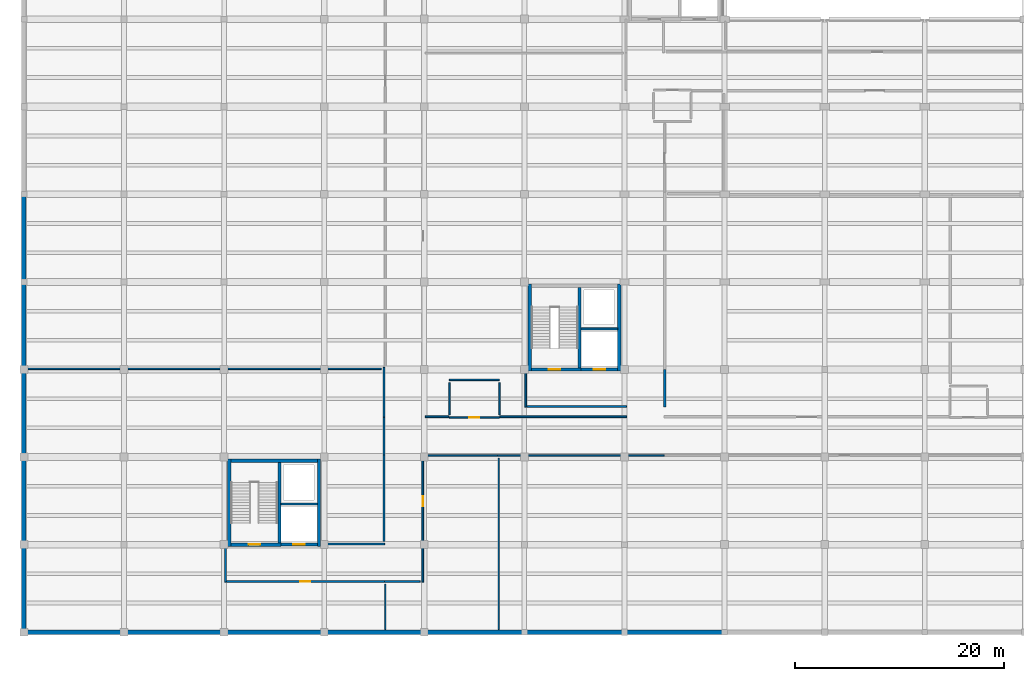
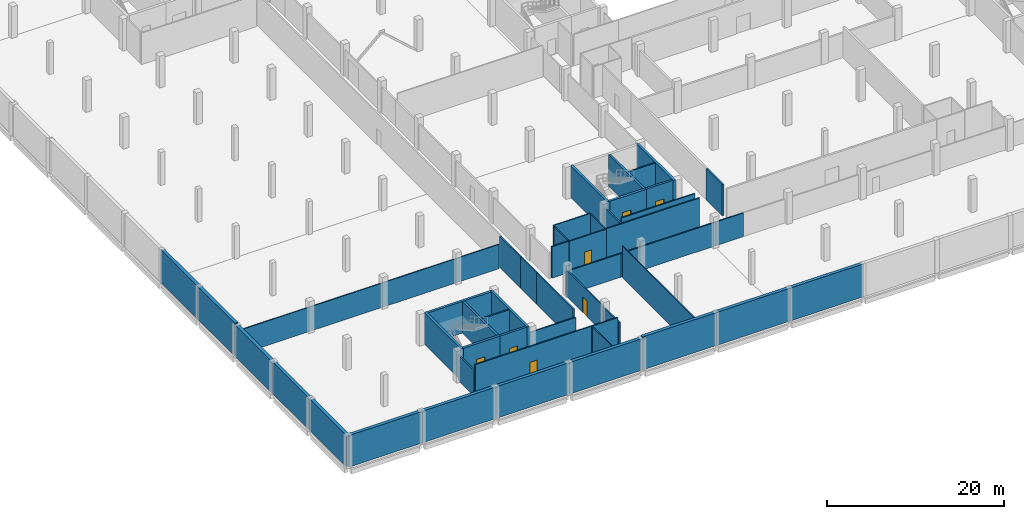
# One storey, part 16 of 30: 49 walls, 7 doors, 7 openings.
"""IFC4 building model written with IfcOpenShell, lengths in metres."""

from ifc_helpers import new_model, si_unit, direction, frame, frame_2d, origin, place, context, subcontext, project, spatial, rectangle, extrude, material, layer, layer_set, type_object, element, fill, save


model = new_model("IFC4")

# Units and contexts
model_context = context("Model", 3, precision=1e-05, world=origin(), true_north=direction((0.0, 1.0)))
body_context = subcontext(model_context, "Body", "Model", "MODEL_VIEW")
ifc_project = project(units=[si_unit("LENGTHUNIT", "METRE"), si_unit("AREAUNIT", "SQUARE_METRE"), si_unit("VOLUMEUNIT", "CUBIC_METRE"), si_unit("PLANEANGLEUNIT", "RADIAN"), si_unit("MASSUNIT", "GRAM", prefix="KILO")], contexts=[model_context])

# Site, building, storey
site_placement = place(None, origin())
site = spatial("IfcSite", under=ifc_project, at=site_placement, CompositionType="ELEMENT")
building_placement = place(site_placement, origin())
building = spatial("IfcBuilding", under=site, at=building_placement, Name="Lornevale Opera House", CompositionType="ELEMENT")
storey_placement = place(building_placement, frame((0.0, 0.0, -4.800048828125)))
storey = spatial("IfcBuildingStorey", under=building, at=storey_placement, Name="B1", CompositionType="ELEMENT", Elevation=-4.800048828125)

# Walls
ifc_material_1 = material(Name="Concrete 40 MPa (CSA A23.1 C-1)", Category="concrete")
ifc_layer_1 = layer(ifc_material_1, 0.419921875)
ifc_layer_set_1 = layer_set([ifc_layer_1], Name="Concrete 40 MPa (CSA A23.1 C-1)")
wall_type_1 = type_object("IfcWallType", Name="Basement Retaining Wall 420", PredefinedType="USERDEFINED", material=ifc_layer_set_1)
wall_1_placement = place(storey_placement, frame((9.60009765625, 0.0, 0.0), z_axis=(0.0, 0.0, 1.0), x_axis=(-1.0, 0.0, 0.0)))
element("IfcWall", 1, at=wall_1_placement, inside=storey, type_object=wall_type_1, Name="Basement Escarpment Plinth Wall WL-EXT-0065", ObjectType="RETAINING WALL", PredefinedType="USERDEFINED", context=body_context, shape_type="SweptSolid", body=[
    extrude(rectangle(XDim=9.60009765625, YDim=0.419921875, at=frame_2d((4.800048828125, 0.0))), origin(), (0.0, 0.0, 1.0), 4.360107421875),
])
wall_2_placement = place(storey_placement, frame((0.0, 0.0, 0.0), z_axis=(0.0, 0.0, 1.0), x_axis=(0.0, 1.0, 0.0)))
element("IfcWall", 2, at=wall_2_placement, inside=storey, type_object=wall_type_1, Name="Basement Escarpment Plinth Wall WL-EXT-0066", ObjectType="RETAINING WALL", PredefinedType="USERDEFINED", context=body_context, shape_type="SweptSolid", body=[
    extrude(rectangle(XDim=8.39990234375, YDim=0.419921875, at=frame_2d((4.199951171875, 0.0))), origin(), (0.0, 0.0, 1.0), 4.360107421875),
])
wall_3_placement = place(storey_placement, frame((0.0, 8.39990234375, 0.0), z_axis=(0.0, 0.0, 1.0), x_axis=(0.0, 1.0, 0.0)))
element("IfcWall", 3, at=wall_3_placement, inside=storey, type_object=wall_type_1, Name="Basement Escarpment Plinth Wall WL-EXT-0067", ObjectType="RETAINING WALL", PredefinedType="USERDEFINED", context=body_context, shape_type="SweptSolid", body=[
    extrude(rectangle(XDim=8.400146484375, YDim=0.419921875, at=frame_2d((4.2001953125, 0.0))), origin(), (0.0, 0.0, 1.0), 4.360107421875),
])
wall_4_placement = place(storey_placement, frame((0.0, 16.800048828125, 0.0), z_axis=(0.0, 0.0, 1.0), x_axis=(0.0, 1.0, 0.0)))
element("IfcWall", 4, at=wall_4_placement, inside=storey, type_object=wall_type_1, Name="Basement Escarpment Plinth Wall WL-EXT-0068", ObjectType="RETAINING WALL", PredefinedType="USERDEFINED", context=body_context, shape_type="SweptSolid", body=[
    extrude(rectangle(XDim=8.39990234375, YDim=0.419921875, at=frame_2d((4.199951171875, 0.0))), origin(), (0.0, 0.0, 1.0), 4.360107421875),
])
wall_5_placement = place(storey_placement, frame((0.0, 25.199951171875, 0.0), z_axis=(0.0, 0.0, 1.0), x_axis=(0.0, 1.0, 0.0)))
element("IfcWall", 5, at=wall_5_placement, inside=storey, type_object=wall_type_1, Name="Basement Escarpment Plinth Wall WL-EXT-0069", ObjectType="RETAINING WALL", PredefinedType="USERDEFINED", context=body_context, shape_type="SweptSolid", body=[
    extrude(rectangle(XDim=8.400146484375, YDim=0.419921875, at=frame_2d((4.2001953125, 0.0))), origin(), (0.0, 0.0, 1.0), 4.550048828125),
])
wall_6_placement = place(storey_placement, frame((0.0, 33.60009765625, 0.0), z_axis=(0.0, 0.0, 1.0), x_axis=(0.0, 1.0, 0.0)))
element("IfcWall", 6, at=wall_6_placement, inside=storey, type_object=wall_type_1, Name="Basement Escarpment Plinth Wall WL-EXT-0070", ObjectType="RETAINING WALL", PredefinedType="USERDEFINED", context=body_context, shape_type="SweptSolid", body=[
    extrude(rectangle(XDim=8.39990234375, YDim=0.419921875, at=frame_2d((4.199951171875, 0.0))), origin(), (0.0, 0.0, 1.0), 4.550048828125),
])
wall_7_placement = place(storey_placement, frame((19.199951171875, 0.0, 0.0), z_axis=(0.0, 0.0, 1.0), x_axis=(-1.0, 0.0, 0.0)))
element("IfcWall", 7, at=wall_7_placement, inside=storey, type_object=wall_type_1, Name="Basement Escarpment Plinth Wall WL-EXT-0079", ObjectType="RETAINING WALL", PredefinedType="USERDEFINED", context=body_context, shape_type="SweptSolid", body=[
    extrude(rectangle(XDim=9.599853515625, YDim=0.419921875, at=frame_2d((4.7998046875, 0.0))), origin(), (0.0, 0.0, 1.0), 4.360107421875),
])
wall_8_placement = place(storey_placement, frame((28.800048828125, 0.0, 0.0), z_axis=(0.0, 0.0, 1.0), x_axis=(-1.0, 0.0, 0.0)))
element("IfcWall", 8, at=wall_8_placement, inside=storey, type_object=wall_type_1, Name="Basement Escarpment Plinth Wall WL-EXT-0081", ObjectType="RETAINING WALL", PredefinedType="USERDEFINED", context=body_context, shape_type="SweptSolid", body=[
    extrude(rectangle(XDim=9.60009765625, YDim=0.419921875, at=frame_2d((4.800048828125, 0.0))), origin(), (0.0, 0.0, 1.0), 4.360107421875),
])
wall_9_placement = place(storey_placement, frame((38.39990234375, 0.0, 0.0), z_axis=(0.0, 0.0, 1.0), x_axis=(-1.0, 0.0, 0.0)))
element("IfcWall", 9, at=wall_9_placement, inside=storey, type_object=wall_type_1, Name="Basement Escarpment Plinth Wall WL-EXT-0083", ObjectType="RETAINING WALL", PredefinedType="USERDEFINED", context=body_context, shape_type="SweptSolid", body=[
    extrude(rectangle(XDim=9.599853515625, YDim=0.419921875, at=frame_2d((4.7998046875, 0.0))), origin(), (0.0, 0.0, 1.0), 4.360107421875),
])
for number, where, z_axis, x_axis, name in (
    (10, (48.0, 0.0, 0.0), (0.0, 0.0, 1.0), (-1.0, 0.0, 0.0), "Basement Escarpment Plinth Wall WL-EXT-0085"),
    (11, (57.60009765625, 0.0, 0.0), (0.0, 0.0, 1.0), (-1.0, 0.0, 0.0), "Basement Escarpment Plinth Wall WL-EXT-0089"),
):
    element("IfcWall", number, at=place(storey_placement, frame(where, z_axis=z_axis, x_axis=x_axis)), inside=storey, type_object=wall_type_1, Name=name, ObjectType="RETAINING WALL", PredefinedType="USERDEFINED", context=body_context, shape_type="SweptSolid", body=[
        extrude(rectangle(XDim=9.60009765625, YDim=0.419921875, at=frame_2d((4.800048828125, 0.0))), origin(), (0.0, 0.0, 1.0), 4.550048828125),
    ])
wall_10_placement = place(storey_placement, frame((67.199951171875, 0.0, 0.0), z_axis=(0.0, 0.0, 1.0), x_axis=(-1.0, 0.0, 0.0)))
element("IfcWall", 12, at=wall_10_placement, inside=storey, type_object=wall_type_1, Name="Basement Escarpment Plinth Wall WL-EXT-0091", ObjectType="RETAINING WALL", PredefinedType="USERDEFINED", context=body_context, shape_type="SweptSolid", body=[
    extrude(rectangle(XDim=9.599853515625, YDim=0.419921875, at=frame_2d((4.7998046875, 0.0))), origin(), (0.0, 0.0, 1.0), 4.550048828125),
])

# Wall, opening, door
ifc_layer_2 = layer(ifc_material_1, 0.320068359375)
ifc_layer_set_2 = layer_set([ifc_layer_2], Name="Concrete 40 MPa (CSA A23.1 C-1)")
wall_type_2 = type_object("IfcWallType", Name="Core Shear Wall 320", PredefinedType="SHEAR", material=ifc_layer_set_2)
wall_11_placement = place(storey_placement, frame((48.659912109375, 25.199951171875, 0.0), z_axis=(0.0, 0.0, 1.0), x_axis=(1.0, 0.0, 0.0)))
wall_11 = element("IfcWall", 13, at=wall_11_placement, inside=storey, type_object=wall_type_2, Name="South-West Foyer Core Core Shear Wall 320 WL-COR-0008", PredefinedType="SHEAR", context=body_context, shape_type="SweptSolid", body=[
    extrude(rectangle(XDim=4.780029296875, YDim=0.320068359375, at=frame_2d((2.39013671875, 0.0))), origin(), (0.0, 0.0, 1.0), 4.360107421875),
])
opening_1_placement = place(wall_11_placement, frame((1.68994140625, 0.0, 0.0)))
opening_1 = element("IfcOpeningElement", 14, at=opening_1_placement, cuts=wall_11, Name="Opening DR-T10", PredefinedType="OPENING", context=body_context, shape_type="SweptSolid", body=[
    extrude(rectangle(XDim=1.10009765625, YDim=2.199951171875, at=frame_2d((0.550048828125, 1.10009765625))), frame((0.0, 0.169921875, 0.0), z_axis=(0.0, -1.0, 0.0), x_axis=(1.0, 0.0, 0.0)), (0.0, 0.0, 1.0), 0.340087890625),
])
ifc_material_2 = material(Name="Painted Hollow Metal Door Steel", Category="steel")
ifc_layer_3 = layer(ifc_material_2, 2.199951171875)
ifc_layer_set_3 = layer_set([ifc_layer_3], Name="Painted Hollow Metal Door Steel")
door_type_1 = type_object("IfcDoorType", Name="Protected Exit Stair Door L 1100x2200", OperationType="NOTDEFINED", PredefinedType="DOOR", material=ifc_layer_set_3)
door_1_placement = place(opening_1_placement, origin())
door_1 = element("IfcDoor", 15, at=door_1_placement, inside=storey, type_object=door_type_1, Name="C1 Stair Door B1", OperationType="SINGLE_SWING_LEFT", OverallHeight=2.199951171875, OverallWidth=1.10009765625, PredefinedType="DOOR", context=body_context, shape_type="SweptSolid", body=[
    extrude(rectangle(XDim=1.10009765625, YDim=2.199951171875, at=frame_2d((0.550048828125, 1.10009765625))), frame((0.0, 0.02490234375, 0.0), z_axis=(0.0, -1.0, 0.0), x_axis=(1.0, 0.0, 0.0)), (0.0, 0.0, 1.0), 0.050048828125),
])
fill(opening_1, door_1)

# Walls
for number, where, z_axis, x_axis, name in (
    (16, (48.5, 33.39990234375, 0.0), (0.0, 0.0, 1.0), (0.0, -1.0, 0.0), "South-West Foyer Core Core Shear Wall 320 WL-COR-0011"),
    (17, (57.10009765625, 25.0400390625, 0.0), (0.0, 0.0, 1.0), (0.0, 1.0, 0.0), "South-West Foyer Core Core Shear Wall 320 WL-COR-0012"),
):
    element("IfcWall", number, at=place(storey_placement, frame(where, z_axis=z_axis, x_axis=x_axis)), inside=storey, type_object=wall_type_2, Name=name, PredefinedType="SHEAR", context=body_context, shape_type="SweptSolid", body=[
        extrude(rectangle(XDim=8.35986328125, YDim=0.320068359375, at=frame_2d((4.179931640625, 0.0))), origin(), (0.0, 0.0, 1.0), 4.360107421875),
    ])

# Wall, opening, door
wall_12_placement = place(storey_placement, frame((19.860107421875, 8.39990234375, 0.0), z_axis=(0.0, 0.0, 1.0), x_axis=(1.0, 0.0, 0.0)))
wall_12 = element("IfcWall", 18, at=wall_12_placement, inside=storey, type_object=wall_type_2, Name="Chamber Pavilion Core Core Shear Wall 320 WL-COR-0085", PredefinedType="SHEAR", context=body_context, shape_type="SweptSolid", body=[
    extrude(rectangle(XDim=4.77978515625, YDim=0.320068359375, at=frame_2d((2.389892578125, 0.0))), origin(), (0.0, 0.0, 1.0), 4.360107421875),
])
opening_2_placement = place(wall_12_placement, frame((1.68994140625, 0.0, 0.0)))
opening_2 = element("IfcOpeningElement", 19, at=opening_2_placement, cuts=wall_12, Name="Opening DR-T10", PredefinedType="OPENING", context=body_context, shape_type="SweptSolid", body=[
    extrude(rectangle(XDim=1.10009765625, YDim=2.199951171875, at=frame_2d((0.550048828125, 1.10009765625))), frame((0.0, 0.169921875, 0.0), z_axis=(0.0, -1.0, 0.0), x_axis=(1.0, 0.0, 0.0)), (0.0, 0.0, 1.0), 0.340087890625),
])
door_2_placement = place(opening_2_placement, origin())
door_2 = element("IfcDoor", 20, at=door_2_placement, inside=storey, type_object=door_type_1, Name="C3 Stair Door B1", OperationType="SINGLE_SWING_LEFT", OverallHeight=2.199951171875, OverallWidth=1.10009765625, PredefinedType="DOOR", context=body_context, shape_type="SweptSolid", body=[
    extrude(rectangle(XDim=1.10009765625, YDim=2.199951171875, at=frame_2d((0.550048828125, 1.10009765625))), frame((0.0, 0.02490234375, 0.0), z_axis=(0.0, -1.0, 0.0), x_axis=(1.0, 0.0, 0.0)), (0.0, 0.0, 1.0), 0.050048828125),
])
fill(opening_2, door_2)

# Walls
wall_13_placement = place(storey_placement, frame((28.139892578125, 16.43994140625, 0.0), z_axis=(0.0, 0.0, 1.0), x_axis=(-1.0, 0.0, 0.0)))
element("IfcWall", 21, at=wall_13_placement, inside=storey, type_object=wall_type_2, Name="Chamber Pavilion Core Core Shear Wall 320 WL-COR-0087", PredefinedType="SHEAR", context=body_context, shape_type="SweptSolid", body=[
    extrude(rectangle(XDim=8.27978515625, YDim=0.320068359375, at=frame_2d((4.139892578125, 0.0))), origin(), (0.0, 0.0, 1.0), 4.360107421875),
])
for number, where, z_axis, x_axis, name in (
    (22, (19.699951171875, 16.60009765625, 0.0), (0.0, 0.0, 1.0), (0.0, -1.0, 0.0), "Chamber Pavilion Core Core Shear Wall 320 WL-COR-0088"),
    (23, (28.300048828125, 8.239990234375, 0.0), (0.0, 0.0, 1.0), (0.0, 1.0, 0.0), "Chamber Pavilion Core Core Shear Wall 320 WL-COR-0089"),
):
    element("IfcWall", number, at=place(storey_placement, frame(where, z_axis=z_axis, x_axis=x_axis)), inside=storey, type_object=wall_type_2, Name=name, PredefinedType="SHEAR", context=body_context, shape_type="SweptSolid", body=[
        extrude(rectangle(XDim=8.360107421875, YDim=0.320068359375, at=frame_2d((4.18017578125, 0.0))), origin(), (0.0, 0.0, 1.0), 4.360107421875),
    ])
ifc_material_3 = material(Name="Acoustic Mineral-Core Gypsum Partition", Category="gypsum")
ifc_layer_4 = layer(ifc_material_3, 0.1650390625)
ifc_layer_set_4 = layer_set([ifc_layer_4], Name="Acoustic Mineral-Core Gypsum Partition")
wall_type_3 = type_object("IfcWallType", Name="Corridor Rated Partition 165", PredefinedType="PARTITIONING", material=ifc_layer_set_4)
wall_14_placement = place(storey_placement, frame((57.800048828125, 16.93994140625, 0.0), z_axis=(0.0, 0.0, 1.0), x_axis=(1.0, 0.0, 0.0)))
element("IfcWall", 24, at=wall_14_placement, inside=storey, type_object=wall_type_3, Name="B1 Partition WL-INT-0583", PredefinedType="PARTITIONING", context=body_context, shape_type="SweptSolid", body=[
    extrude(rectangle(XDim=3.599853515625, YDim=0.1650390625, at=frame_2d((1.7998046875, 0.0))), origin(), (0.0, 0.0, 1.0), 3.260009765625),
])
wall_15_placement = place(storey_placement, frame((45.39990234375, 16.93994140625, 0.0), z_axis=(0.0, 0.0, 1.0), x_axis=(1.0, 0.0, 0.0)))
element("IfcWall", 25, at=wall_15_placement, inside=storey, type_object=wall_type_3, Name="B1 Partition WL-INT-0584", PredefinedType="PARTITIONING", context=body_context, shape_type="SweptSolid", body=[
    extrude(rectangle(XDim=12.400146484375, YDim=0.1650390625, at=frame_2d((6.2001953125, 0.0))), origin(), (0.0, 0.0, 1.0), 3.260009765625),
])
wall_16_placement = place(storey_placement, frame((34.5400390625, 20.60009765625, 0.0), z_axis=(0.0, 0.0, 1.0), x_axis=(0.0, 1.0, 0.0)))
element("IfcWall", 26, at=wall_16_placement, inside=storey, type_object=wall_type_3, Name="B1 Partition WL-INT-0585", PredefinedType="PARTITIONING", context=body_context, shape_type="SweptSolid", body=[
    extrude(rectangle(XDim=4.7998046875, YDim=0.1650390625, at=frame_2d((2.39990234375, 0.0))), origin(), (0.0, 0.0, 1.0), 4.330078125),
])

# Wall, opening, door
wall_17_placement = place(storey_placement, frame((19.39990234375, 4.860107421875, 0.0), z_axis=(0.0, 0.0, 1.0), x_axis=(1.0, 0.0, 0.0)))
wall_17 = element("IfcWall", 27, at=wall_17_placement, inside=storey, type_object=wall_type_3, Name="B1 Partition WL-INT-0586", PredefinedType="PARTITIONING", context=body_context, shape_type="SweptSolid", body=[
    extrude(rectangle(XDim=15.2001953125, YDim=0.1650390625, at=frame_2d((7.60009765625, 0.0))), origin(), (0.0, 0.0, 1.0), 4.330078125),
])
opening_3_placement = place(wall_17_placement, frame((7.125, 0.0, 0.0)))
opening_3 = element("IfcOpeningElement", 28, at=opening_3_placement, cuts=wall_17, Name="Opening DR-T19", PredefinedType="OPENING", context=body_context, shape_type="SweptSolid", body=[
    extrude(rectangle(XDim=0.949951171875, YDim=2.14990234375, at=frame_2d((0.47509765625, 1.074951171875))), frame((0.0, 0.092529296875, 0.0), z_axis=(0.0, -1.0, 0.0), x_axis=(1.0, 0.0, 0.0)), (0.0, 0.0, 1.0), 0.18505859375),
])
ifc_material_4 = material(Name="White Oak Acoustic Panelling", Category="wood")
ifc_layer_5 = layer(ifc_material_4, 2.14990234375)
ifc_layer_set_5 = layer_set([ifc_layer_5], Name="White Oak Acoustic Panelling")
door_type_2 = type_object("IfcDoorType", Name="Soloist Dressing Door L 950x2150", OperationType="NOTDEFINED", PredefinedType="DOOR", material=ifc_layer_set_5)
door_3_placement = place(opening_3_placement, origin())
door_3 = element("IfcDoor", 29, at=door_3_placement, inside=storey, type_object=door_type_2, Name="Recording & Broadcast Studio Door", OperationType="SINGLE_SWING_LEFT", OverallHeight=2.14990234375, OverallWidth=0.949951171875, PredefinedType="DOOR", context=body_context, shape_type="SweptSolid", body=[
    extrude(rectangle(XDim=0.949951171875, YDim=2.14990234375, at=frame_2d((0.47509765625, 1.074951171875))), frame((0.0, 0.02490234375, 0.0), z_axis=(0.0, -1.0, 0.0), x_axis=(1.0, 0.0, 0.0)), (0.0, 0.0, 1.0), 0.050048828125),
])
fill(opening_3, door_3)

# Walls
wall_18_placement = place(storey_placement, frame((19.340087890625, 4.800048828125, 0.0), z_axis=(0.0, 0.0, 1.0), x_axis=(0.0, 1.0, 0.0)))
element("IfcWall", 30, at=wall_18_placement, inside=storey, type_object=wall_type_3, Name="B1 Partition WL-INT-0587", PredefinedType="PARTITIONING", context=body_context, shape_type="SweptSolid", body=[
    extrude(rectangle(XDim=3.599853515625, YDim=0.1650390625, at=frame_2d((1.7998046875, 0.0))), origin(), (0.0, 0.0, 1.0), 3.56005859375),
])
wall_19_placement = place(storey_placement, frame((28.550048828125, 8.4599609375, 0.0), z_axis=(0.0, 0.0, 1.0), x_axis=(1.0, 0.0, 0.0)))
element("IfcWall", 31, at=wall_19_placement, inside=storey, type_object=wall_type_3, Name="B1 Partition WL-INT-0588", PredefinedType="PARTITIONING", context=body_context, shape_type="SweptSolid", body=[
    extrude(rectangle(XDim=6.050048828125, YDim=0.1650390625, at=frame_2d((3.02490234375, 0.0))), origin(), (0.0, 0.0, 1.0), 3.360107421875),
])
wall_20_placement = place(storey_placement, frame((34.5400390625, 8.7099609375, 0.0), z_axis=(0.0, 0.0, 1.0), x_axis=(0.0, 1.0, 0.0)))
element("IfcWall", 32, at=wall_20_placement, inside=storey, type_object=wall_type_3, Name="B1 Partition WL-INT-0589", PredefinedType="PARTITIONING", context=body_context, shape_type="SweptSolid", body=[
    extrude(rectangle(XDim=8.2900390625, YDim=0.1650390625, at=frame_2d((4.14501953125, 0.0))), origin(), (0.0, 0.0, 1.0), 4.330078125),
])
wall_21_placement = place(storey_placement, frame((34.5400390625, 17.0, 0.0), z_axis=(0.0, 0.0, 1.0), x_axis=(0.0, 1.0, 0.0)))
element("IfcWall", 33, at=wall_21_placement, inside=storey, type_object=wall_type_3, Name="B1 Partition WL-INT-0590", PredefinedType="PARTITIONING", context=body_context, shape_type="SweptSolid", body=[
    extrude(rectangle(XDim=3.60009765625, YDim=0.1650390625, at=frame_2d((1.800048828125, 0.0))), origin(), (0.0, 0.0, 1.0), 4.330078125),
])
wall_22_placement = place(storey_placement, frame((38.510009765625, 20.659912109375, 0.0), z_axis=(0.0, 0.0, 1.0), x_axis=(1.0, 0.0, 0.0)))
element("IfcWall", 34, at=wall_22_placement, inside=storey, type_object=wall_type_3, Name="B1 Partition WL-INT-0616", PredefinedType="PARTITIONING", context=body_context, shape_type="SweptSolid", body=[
    extrude(rectangle(XDim=2.22998046875, YDim=0.1650390625, at=frame_2d((1.114990234375, 0.0))), origin(), (0.0, 0.0, 1.0), 4.330078125),
])
wall_23_placement = place(storey_placement, frame((45.659912109375, 20.659912109375, 0.0), z_axis=(0.0, 0.0, 1.0), x_axis=(1.0, 0.0, 0.0)))
element("IfcWall", 35, at=wall_23_placement, inside=storey, type_object=wall_type_3, Name="B1 Partition WL-INT-0617", PredefinedType="PARTITIONING", context=body_context, shape_type="SweptSolid", body=[
    extrude(rectangle(XDim=12.14013671875, YDim=0.1650390625, at=frame_2d((6.070068359375, 0.0))), origin(), (0.0, 0.0, 1.0), 4.330078125),
])
wall_24_placement = place(storey_placement, frame((48.199951171875, 21.659912109375, 0.0), z_axis=(0.0, 0.0, 1.0), x_axis=(1.0, 0.0, 0.0)))
element("IfcWall", 36, at=wall_24_placement, inside=storey, type_object=wall_type_3, Name="B1 Partition WL-INT-0618", PredefinedType="PARTITIONING", context=body_context, shape_type="SweptSolid", body=[
    extrude(rectangle(XDim=9.60009765625, YDim=0.1650390625, at=frame_2d((4.800048828125, 0.0))), origin(), (0.0, 0.0, 1.0), 4.330078125),
])
wall_25_placement = place(storey_placement, frame((48.139892578125, 21.60009765625, 0.0), z_axis=(0.0, 0.0, 1.0), x_axis=(0.0, 1.0, 0.0)))
element("IfcWall", 37, at=wall_25_placement, inside=storey, type_object=wall_type_3, Name="B1 Partition WL-INT-0619", PredefinedType="PARTITIONING", context=body_context, shape_type="SweptSolid", body=[
    extrude(rectangle(XDim=3.599853515625, YDim=0.1650390625, at=frame_2d((1.7998046875, 0.0))), origin(), (0.0, 0.0, 1.0), 3.610107421875),
])
wall_26_placement = place(storey_placement, frame((38.199951171875, 16.93994140625, 0.0), z_axis=(0.0, 0.0, 1.0), x_axis=(1.0, 0.0, 0.0)))
element("IfcWall", 38, at=wall_26_placement, inside=storey, type_object=wall_type_3, Name="B1 Partition WL-INT-0634", PredefinedType="PARTITIONING", context=body_context, shape_type="SweptSolid", body=[
    extrude(rectangle(XDim=7.199951171875, YDim=0.1650390625, at=frame_2d((3.60009765625, 0.0))), origin(), (0.0, 0.0, 1.0), 3.260009765625),
])

# Wall, opening, door
wall_27_placement = place(storey_placement, frame((38.260009765625, 8.39990234375, 0.0), z_axis=(0.0, 0.0, 1.0), x_axis=(0.0, 1.0, 0.0)))
wall_27 = element("IfcWall", 39, at=wall_27_placement, inside=storey, type_object=wall_type_3, Name="B1 Partition WL-INT-0635", PredefinedType="PARTITIONING", context=body_context, shape_type="SweptSolid", body=[
    extrude(rectangle(XDim=8.2900390625, YDim=0.1650390625, at=frame_2d((4.14501953125, 0.0))), origin(), (0.0, 0.0, 1.0), 3.610107421875),
])
opening_4_placement = place(wall_27_placement, frame((3.669921875, 0.0, 0.0)))
opening_4 = element("IfcOpeningElement", 40, at=opening_4_placement, cuts=wall_27, Name="Opening DR-T20", PredefinedType="OPENING", context=body_context, shape_type="SweptSolid", body=[
    extrude(rectangle(XDim=0.949951171875, YDim=2.14990234375, at=frame_2d((0.47509765625, 1.074951171875))), frame((0.0, 0.092529296875, 0.0), z_axis=(0.0, -1.0, 0.0), x_axis=(1.0, 0.0, 0.0)), (0.0, 0.0, 1.0), 0.18505859375),
])
ifc_layer_6 = layer(ifc_material_4, 2.14990234375)
ifc_layer_set_6 = layer_set([ifc_layer_6], Name="White Oak Acoustic Panelling")
door_type_3 = type_object("IfcDoorType", Name="Soloist Dressing Door R 950x2150", OperationType="NOTDEFINED", PredefinedType="DOOR", material=ifc_layer_set_6)
door_4_placement = place(opening_4_placement, origin())
door_4 = element("IfcDoor", 41, at=door_4_placement, inside=storey, type_object=door_type_3, Name="Orchestra Instrument & Manuscript Store Door", OperationType="SINGLE_SWING_RIGHT", OverallHeight=2.14990234375, OverallWidth=0.949951171875, PredefinedType="DOOR", context=body_context, shape_type="SweptSolid", body=[
    extrude(rectangle(XDim=0.949951171875, YDim=2.14990234375, at=frame_2d((0.47509765625, 1.074951171875))), frame((0.0, 0.02490234375, 0.0), z_axis=(0.0, -1.0, 0.0), x_axis=(1.0, 0.0, 0.0)), (0.0, 0.0, 1.0), 0.050048828125),
])
fill(opening_4, door_4)

# Walls
wall_28_placement = place(storey_placement, frame((38.260009765625, 4.800048828125, 0.0), z_axis=(0.0, 0.0, 1.0), x_axis=(0.0, 1.0, 0.0)))
element("IfcWall", 42, at=wall_28_placement, inside=storey, type_object=wall_type_3, Name="B1 Partition WL-INT-0636", PredefinedType="PARTITIONING", context=body_context, shape_type="SweptSolid", body=[
    extrude(rectangle(XDim=3.599853515625, YDim=0.1650390625, at=frame_2d((1.7998046875, 0.0))), origin(), (0.0, 0.0, 1.0), 3.56005859375),
])
wall_29_placement = place(storey_placement, frame((34.60009765625, 4.860107421875, 0.0), z_axis=(0.0, 0.0, 1.0), x_axis=(1.0, 0.0, 0.0)))
element("IfcWall", 43, at=wall_29_placement, inside=storey, type_object=wall_type_3, Name="B1 Partition WL-INT-0637", PredefinedType="PARTITIONING", context=body_context, shape_type="SweptSolid", body=[
    extrude(rectangle(XDim=3.409912109375, YDim=0.1650390625, at=frame_2d((1.705078125, 0.0))), origin(), (0.0, 0.0, 1.0), 4.330078125),
])
ifc_layer_7 = layer(ifc_material_3, 0.125)
ifc_layer_set_7 = layer_set([ifc_layer_7], Name="Acoustic Mineral-Core Gypsum Partition")
wall_type_4 = type_object("IfcWallType", Name="Dressing Suite Partition 125", PredefinedType="PARTITIONING", material=ifc_layer_set_7)
wall_30_placement = place(storey_placement, frame((45.5400390625, 0.25, 0.0), z_axis=(0.0, 0.0, 1.0), x_axis=(0.0, 1.0, 0.0)))
element("IfcWall", 44, at=wall_30_placement, inside=storey, type_object=wall_type_4, Name="B1 Partition WL-INT-0655", PredefinedType="PARTITIONING", context=body_context, shape_type="SweptSolid", body=[
    extrude(rectangle(XDim=16.43994140625, YDim=0.125, at=frame_2d((8.219970703125, 0.0))), origin(), (0.0, 0.0, 1.0), 4.330078125),
])
wall_31_placement = place(storey_placement, frame((0.25, 25.260009765625, 0.0), z_axis=(0.0, 0.0, 1.0), x_axis=(1.0, 0.0, 0.0)))
element("IfcWall", 45, at=wall_31_placement, inside=storey, type_object=wall_type_4, Name="B1 Partition WL-INT-0656", PredefinedType="PARTITIONING", context=body_context, shape_type="SweptSolid", body=[
    extrude(rectangle(XDim=34.0400390625, YDim=0.125, at=frame_2d((17.02001953125, 0.0))), origin(), (0.0, 0.0, 1.0), 3.360107421875),
])
wall_32_placement = place(storey_placement, frame((34.659912109375, 0.25, 0.0), z_axis=(0.0, 0.0, 1.0), x_axis=(0.0, 1.0, 0.0)))
element("IfcWall", 46, at=wall_32_placement, inside=storey, type_object=wall_type_4, Name="B1 Partition WL-INT-0657", PredefinedType="PARTITIONING", context=body_context, shape_type="SweptSolid", body=[
    extrude(rectangle(XDim=4.360107421875, YDim=0.125, at=frame_2d((2.18017578125, 0.0))), origin(), (0.0, 0.0, 1.0), 4.330078125),
])

# Wall, opening, door
ifc_layer_8 = layer(ifc_material_1, 0.280029296875)
ifc_layer_set_8 = layer_set([ifc_layer_8], Name="Concrete 40 MPa (CSA A23.1 C-1)")
wall_type_5 = type_object("IfcWallType", Name="Elevator Shaft Wall 280", PredefinedType="SHEAR", material=ifc_layer_set_8)
wall_33_placement = place(storey_placement, frame((53.43994140625, 25.199951171875, 0.0), z_axis=(0.0, 0.0, 1.0), x_axis=(1.0, 0.0, 0.0)))
wall_33 = element("IfcWall", 47, at=wall_33_placement, inside=storey, type_object=wall_type_5, Name="South-West Foyer Core Elevator Shaft Wall 280 WL-COR-0009", PredefinedType="SHEAR", context=body_context, shape_type="SweptSolid", body=[
    extrude(rectangle(XDim=3.5, YDim=0.280029296875, at=frame_2d((1.75, 0.0))), origin(), (0.0, 0.0, 1.0), 4.360107421875),
])
opening_5_placement = place(wall_33_placement, frame((1.2099609375, 0.0, 0.0)))
opening_5 = element("IfcOpeningElement", 48, at=opening_5_placement, cuts=wall_33, Name="Opening DR-T25", PredefinedType="OPENING", context=body_context, shape_type="SweptSolid", body=[
    extrude(rectangle(XDim=1.10009765625, YDim=2.199951171875, at=frame_2d((0.550048828125, 1.10009765625))), frame((0.0, 0.14990234375, 0.0), z_axis=(0.0, -1.0, 0.0), x_axis=(1.0, 0.0, 0.0)), (0.0, 0.0, 1.0), 0.300048828125),
])
ifc_layer_9 = layer(ifc_material_2, 2.199951171875)
ifc_layer_set_9 = layer_set([ifc_layer_9], Name="Painted Hollow Metal Door Steel")
door_type_4 = type_object("IfcDoorType", Name="Passenger Lift Landing Door 1100x2200", OperationType="NOTDEFINED", PredefinedType="DOOR", material=ifc_layer_set_9)
door_5_placement = place(opening_5_placement, origin())
door_5 = element("IfcDoor", 49, at=door_5_placement, inside=storey, type_object=door_type_4, Name="L-P1 Landing Door B1", OperationType="SLIDING_TO_LEFT", OverallHeight=2.199951171875, OverallWidth=1.10009765625, PredefinedType="DOOR", context=body_context, shape_type="SweptSolid", body=[
    extrude(rectangle(XDim=1.10009765625, YDim=2.199951171875, at=frame_2d((0.550048828125, 1.10009765625))), frame((0.0, 0.02490234375, 0.0), z_axis=(0.0, -1.0, 0.0), x_axis=(1.0, 0.0, 0.0)), (0.0, 0.0, 1.0), 0.050048828125),
])
fill(opening_5, door_5)

# Wall
wall_34_placement = place(storey_placement, frame((53.300048828125, 25.360107421875, 0.0), z_axis=(0.0, 0.0, 1.0), x_axis=(0.0, 1.0, 0.0)))
element("IfcWall", 50, at=wall_34_placement, inside=storey, type_object=wall_type_5, Name="South-West Foyer Core Elevator Shaft Wall 280 WL-COR-0013", PredefinedType="SHEAR", context=body_context, shape_type="SweptSolid", body=[
    extrude(rectangle(XDim=7.719970703125, YDim=0.280029296875, at=frame_2d((3.85986328125, 0.0))), origin(), (0.0, 0.0, 1.0), 4.360107421875),
])

# Wall, opening, door
wall_35_placement = place(storey_placement, frame((24.639892578125, 8.39990234375, 0.0), z_axis=(0.0, 0.0, 1.0), x_axis=(1.0, 0.0, 0.0)))
wall_35 = element("IfcWall", 51, at=wall_35_placement, inside=storey, type_object=wall_type_5, Name="Chamber Pavilion Core Elevator Shaft Wall 280 WL-COR-0086", PredefinedType="SHEAR", context=body_context, shape_type="SweptSolid", body=[
    extrude(rectangle(XDim=3.5, YDim=0.280029296875, at=frame_2d((1.75, 0.0))), origin(), (0.0, 0.0, 1.0), 4.360107421875),
])
opening_6_placement = place(wall_35_placement, frame((1.2099609375, 0.0, 0.0)))
opening_6 = element("IfcOpeningElement", 52, at=opening_6_placement, cuts=wall_35, Name="Opening DR-T25", PredefinedType="OPENING", context=body_context, shape_type="SweptSolid", body=[
    extrude(rectangle(XDim=1.10009765625, YDim=2.199951171875, at=frame_2d((0.550048828125, 1.10009765625))), frame((0.0, 0.14990234375, 0.0), z_axis=(0.0, -1.0, 0.0), x_axis=(1.0, 0.0, 0.0)), (0.0, 0.0, 1.0), 0.300048828125),
])
door_6_placement = place(opening_6_placement, origin())
door_6 = element("IfcDoor", 53, at=door_6_placement, inside=storey, type_object=door_type_4, Name="L-P3 Landing Door B1", OperationType="SLIDING_TO_LEFT", OverallHeight=2.199951171875, OverallWidth=1.10009765625, PredefinedType="DOOR", context=body_context, shape_type="SweptSolid", body=[
    extrude(rectangle(XDim=1.10009765625, YDim=2.199951171875, at=frame_2d((0.550048828125, 1.10009765625))), frame((0.0, 0.02490234375, 0.0), z_axis=(0.0, -1.0, 0.0), x_axis=(1.0, 0.0, 0.0)), (0.0, 0.0, 1.0), 0.050048828125),
])
fill(opening_6, door_6)

# Walls
wall_36_placement = place(storey_placement, frame((24.5, 8.56005859375, 0.0), z_axis=(0.0, 0.0, 1.0), x_axis=(0.0, 1.0, 0.0)))
element("IfcWall", 54, at=wall_36_placement, inside=storey, type_object=wall_type_5, Name="Chamber Pavilion Core Elevator Shaft Wall 280 WL-COR-0090", PredefinedType="SHEAR", context=body_context, shape_type="SweptSolid", body=[
    extrude(rectangle(XDim=7.719970703125, YDim=0.280029296875, at=frame_2d((3.85986328125, 0.0))), origin(), (0.0, 0.0, 1.0), 4.360107421875),
])
ifc_layer_10 = layer(ifc_material_3, 0.22998046875)
ifc_layer_set_10 = layer_set([ifc_layer_10], Name="Acoustic Mineral-Core Gypsum Partition")
wall_type_6 = type_object("IfcWallType", Name="Rehearsal Studio Acoustic Wall 230", PredefinedType="SOLIDWALL", material=ifc_layer_set_10)
wall_37_placement = place(storey_placement, frame((61.4599609375, 21.60009765625, 0.0), z_axis=(0.0, 0.0, 1.0), x_axis=(0.0, 1.0, 0.0)))
element("IfcWall", 55, at=wall_37_placement, inside=storey, type_object=wall_type_6, Name="B1 Partition WL-INT-0575", PredefinedType="SOLIDWALL", context=body_context, shape_type="SweptSolid", body=[
    extrude(rectangle(XDim=3.599853515625, YDim=0.22998046875, at=frame_2d((1.7998046875, 0.0))), origin(), (0.0, 0.0, 1.0), 4.330078125),
])
ifc_material_5 = material(Name="Moisture-Resistant Ceramic & Gypsum Partition", Category="gypsum")
ifc_layer_11 = layer(ifc_material_5, 0.179931640625)
ifc_layer_set_11 = layer_set([ifc_layer_11], Name="Moisture-Resistant Ceramic & Gypsum Partition")
wall_type_7 = type_object("IfcWallType", Name="Riser Shaft Wall 180", PredefinedType="SOLIDWALL", material=ifc_layer_set_11)
for number, where, z_axis, x_axis, name in (
    (56, (53.43994140625, 29.10009765625, 0.0), (0.0, 0.0, 1.0), (1.0, 0.0, 0.0), "South-West Foyer Core Riser Shaft Wall 180 WL-COR-0014"),
    (57, (24.639892578125, 12.300048828125, 0.0), (0.0, 0.0, 1.0), (1.0, 0.0, 0.0), "Chamber Pavilion Core Riser Shaft Wall 180 WL-COR-0091"),
):
    element("IfcWall", number, at=place(storey_placement, frame(where, z_axis=z_axis, x_axis=x_axis)), inside=storey, type_object=wall_type_7, Name=name, PredefinedType="SOLIDWALL", context=body_context, shape_type="SweptSolid", body=[
        extrude(rectangle(XDim=3.5, YDim=0.179931640625, at=frame_2d((1.75, 0.0))), origin(), (0.0, 0.0, 1.0), 4.360107421875),
    ])

# Wall, opening, door
ifc_layer_12 = layer(ifc_material_5, 0.139892578125)
ifc_layer_set_12 = layer_set([ifc_layer_12], Name="Moisture-Resistant Ceramic & Gypsum Partition")
wall_type_8 = type_object("IfcWallType", Name="Washroom Moisture Partition 140", PredefinedType="PARTITIONING", material=ifc_layer_set_12)
wall_38_placement = place(storey_placement, frame((40.800048828125, 20.60009765625, 0.0), z_axis=(0.0, 0.0, 1.0), x_axis=(1.0, 0.0, 0.0)))
wall_38 = element("IfcWall", 58, at=wall_38_placement, inside=storey, type_object=wall_type_8, Name="Lower Foyer Public Washroom West S Wall WL-INT-0432", PredefinedType="PARTITIONING", context=body_context, shape_type="SweptSolid", body=[
    extrude(rectangle(XDim=4.800048828125, YDim=0.139892578125, at=frame_2d((2.39990234375, 0.0))), origin(), (0.0, 0.0, 1.0), 4.320068359375),
])
opening_7_placement = place(wall_38_placement, frame((1.925048828125, 0.0, 0.0)))
opening_7 = element("IfcOpeningElement", 59, at=opening_7_placement, cuts=wall_38, Name="Opening DR-T22", PredefinedType="OPENING", context=body_context, shape_type="SweptSolid", body=[
    extrude(rectangle(XDim=0.949951171875, YDim=2.14990234375, at=frame_2d((0.47509765625, 1.074951171875))), frame((0.0, 0.079833984375, 0.0), z_axis=(0.0, -1.0, 0.0), x_axis=(1.0, 0.0, 0.0)), (0.0, 0.0, 1.0), 0.159912109375),
])
ifc_layer_13 = layer(ifc_material_4, 2.14990234375)
ifc_layer_set_13 = layer_set([ifc_layer_13], Name="White Oak Acoustic Panelling")
door_type_5 = type_object("IfcDoorType", Name="Washroom Door R 950x2150", OperationType="NOTDEFINED", PredefinedType="DOOR", material=ifc_layer_set_13)
door_7_placement = place(opening_7_placement, origin())
door_7 = element("IfcDoor", 60, at=door_7_placement, inside=storey, type_object=door_type_5, Name="Lower Foyer Public Washroom West Door", OperationType="SINGLE_SWING_RIGHT", OverallHeight=2.14990234375, OverallWidth=0.949951171875, PredefinedType="DOOR", context=body_context, shape_type="SweptSolid", body=[
    extrude(rectangle(XDim=0.949951171875, YDim=2.14990234375, at=frame_2d((0.47509765625, 1.074951171875))), frame((0.0, 0.02490234375, 0.0), z_axis=(0.0, -1.0, 0.0), x_axis=(1.0, 0.0, 0.0)), (0.0, 0.0, 1.0), 0.050048828125),
])
fill(opening_7, door_7)

# Walls
wall_39_placement = place(storey_placement, frame((40.800048828125, 24.199951171875, 0.0), z_axis=(0.0, 0.0, 1.0), x_axis=(1.0, 0.0, 0.0)))
element("IfcWall", 61, at=wall_39_placement, inside=storey, type_object=wall_type_8, Name="Lower Foyer Public Washroom West N Wall WL-INT-0433", PredefinedType="PARTITIONING", context=body_context, shape_type="SweptSolid", body=[
    extrude(rectangle(XDim=4.800048828125, YDim=0.139892578125, at=frame_2d((2.39990234375, 0.0))), origin(), (0.0, 0.0, 1.0), 4.320068359375),
])
for number, where, z_axis, x_axis, name in (
    (62, (40.800048828125, 20.85009765625, 0.0), (0.0, 0.0, 1.0), (0.0, 1.0, 0.0), "Lower Foyer Public Washroom West W Wall WL-INT-0434"),
    (63, (45.60009765625, 20.85009765625, 0.0), (0.0, 0.0, 1.0), (0.0, 1.0, 0.0), "Lower Foyer Public Washroom West E Wall WL-INT-0435"),
):
    element("IfcWall", number, at=place(storey_placement, frame(where, z_axis=z_axis, x_axis=x_axis)), inside=storey, type_object=wall_type_8, Name=name, PredefinedType="PARTITIONING", context=body_context, shape_type="SweptSolid", body=[
        extrude(rectangle(XDim=3.099853515625, YDim=0.139892578125, at=frame_2d((1.5498046875, 0.0))), origin(), (0.0, 0.0, 1.0), 4.320068359375),
    ])

save(model, "model.ifc")
